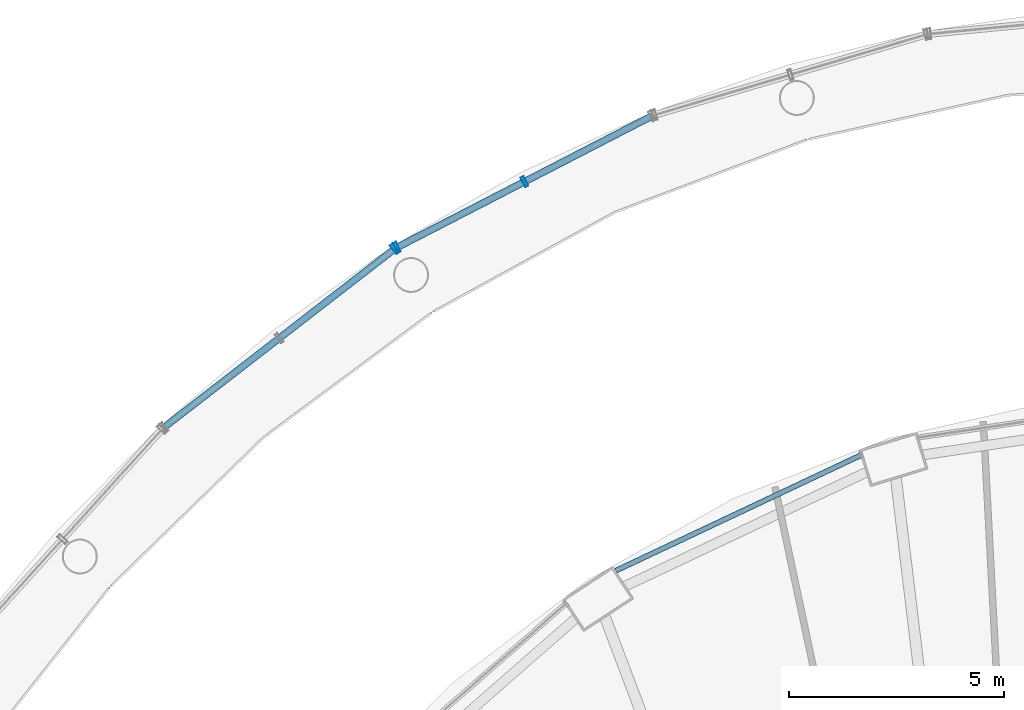
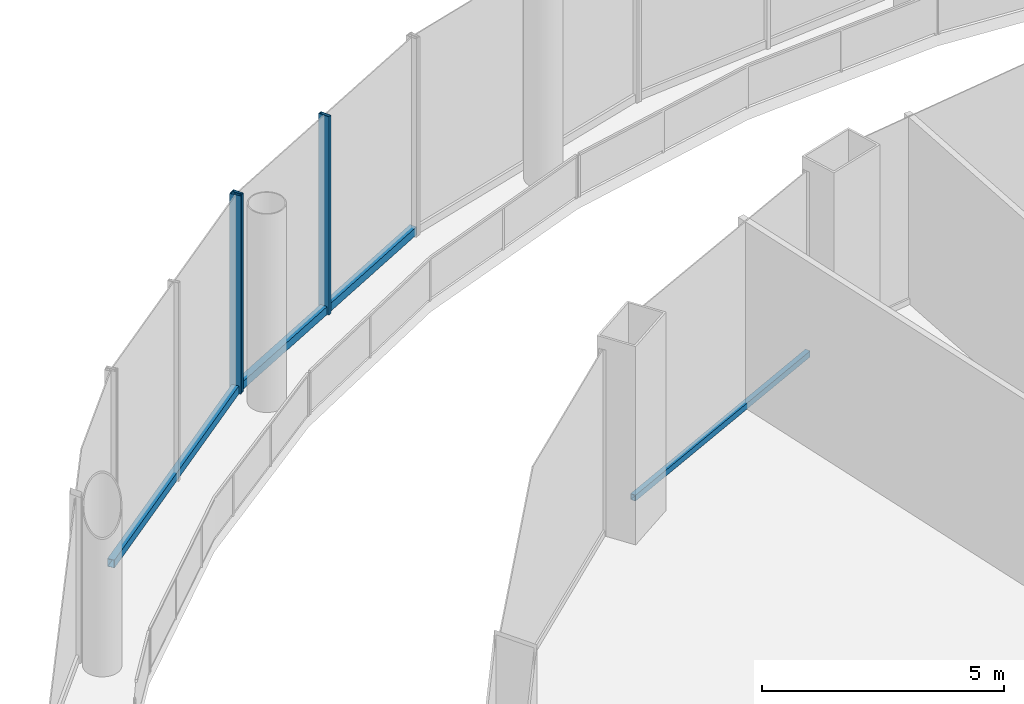
# One storey, part 31 of 47: 6 members, 3 elements without a shape of their own.
"""IFC4 building model written with IfcOpenShell, lengths in metres."""

from ifc_helpers import new_model, si_unit, direction, frame, origin, origin_2d, place, context, subcontext, project, spatial, hollow_rectangle, extrude, material, layer, layer_set, material_profile, profile_set, type_object, element, aggregate, save


model = new_model("IFC4")

# Units and contexts
model_context = context("Model", 3, precision=1e-05, world=origin(), true_north=direction((0.0, 1.0)))
body_context = subcontext(model_context, "Body", "Model", "MODEL_VIEW")
ifc_project = project(units=[si_unit("LENGTHUNIT", "METRE"), si_unit("AREAUNIT", "SQUARE_METRE"), si_unit("VOLUMEUNIT", "CUBIC_METRE"), si_unit("PLANEANGLEUNIT", "RADIAN"), si_unit("MASSUNIT", "GRAM", prefix="KILO")], contexts=[model_context])

# Site, building, storey
site_placement = place(None, origin())
site = spatial("IfcSite", under=ifc_project, at=site_placement, CompositionType="ELEMENT")
building_placement = place(site_placement, origin())
building = spatial("IfcBuilding", under=site, at=building_placement, Name="Nagisa Residences", CompositionType="ELEMENT")
storey_placement = place(building_placement, frame((0.0, 0.0, 7.0)))
storey = spatial("IfcBuildingStorey", under=building, at=storey_placement, Name="L01", CompositionType="ELEMENT", Elevation=7.0)

# Curtain wall, members
ifc_material_1 = material(Name="Stainless steel curtain wall system", Category="steel")
ifc_layer_1 = layer(ifc_material_1, 0.159912109375)
ifc_layer_set_1 = layer_set([ifc_layer_1], Name="CW3 CURTAIN WALL")
curtain_wall_type_1 = type_object("IfcCurtainWallType", Name="CW3 CURTAIN WALL", PredefinedType="NOTDEFINED", material=ifc_layer_set_1)
curtain_wall_1_placement = place(storey_placement, origin())
curtain_wall_1 = element("IfcCurtainWall", 1, at=curtain_wall_1_placement, inside=storey, type_object=curtain_wall_type_1, Name="cw:CW3:L01:11", PredefinedType="NOTDEFINED")
ifc_material_2 = material(Name="Stainless steel", Category="steel")
ifc_material_profile_1 = material_profile(ifc_material_2, hollow_rectangle(XDim=0.25, YDim=0.080078125, WallThickness=0.008056640625, at=origin_2d()), Name="CW3 MULLION 250x80")
ifc_profile_set_1 = profile_set([ifc_material_profile_1], Name="Stainless steel")
member_type_1 = type_object("IfcMemberType", Name="CW3 MULLION 250x80", PredefinedType="MULLION", material=ifc_profile_set_1)
member_1_placement = place(storey_placement, frame((-12.36181640625, 37.848876953125, 0.0), z_axis=(0.0, 0.0, 1.0), x_axis=(0.45812598783, -0.888887270285, 0.0)))
member_1 = element("IfcMember", 2, at=member_1_placement, type_object=member_type_1, Name="CW3 mullion", PredefinedType="MULLION", context=body_context, shape_type="SweptSolid", body=[
    extrude(hollow_rectangle(XDim=0.25, YDim=0.080078125, WallThickness=0.008056640625, at=origin_2d()), origin(), (0.0, 0.0, 1.0), 5.0),
])
member_2_placement = place(storey_placement, frame((-15.327880859375, 36.3203125, 0.0), z_axis=(0.0, 0.0, 1.0), x_axis=(0.45812598783, -0.888887270285, 0.0)))
member_2 = element("IfcMember", 3, at=member_2_placement, type_object=member_type_1, Name="CW3 mullion", PredefinedType="MULLION", context=body_context, shape_type="SweptSolid", body=[
    extrude(hollow_rectangle(XDim=0.25, YDim=0.080078125, WallThickness=0.008056640625, at=origin_2d()), origin(), (0.0, 0.0, 1.0), 5.0),
])

# Curtain wall, member
curtain_wall_2_placement = place(storey_placement, origin())
curtain_wall_2 = element("IfcCurtainWall", 4, at=curtain_wall_2_placement, inside=storey, type_object=curtain_wall_type_1, Name="cw:CW3:L01:12", PredefinedType="NOTDEFINED")
member_3_placement = place(storey_placement, frame((-15.382568359375, 36.285400390625, 0.0), z_axis=(0.0, 0.0, 1.0), x_axis=(0.612034757172, -0.790830864353, 0.0)))
member_3 = element("IfcMember", 5, at=member_3_placement, type_object=member_type_1, Name="CW3 mullion", PredefinedType="MULLION", context=body_context, shape_type="SweptSolid", body=[
    extrude(hollow_rectangle(XDim=0.25, YDim=0.080078125, WallThickness=0.008056640625, at=origin_2d()), origin(), (0.0, 0.0, 1.0), 5.0),
])

# Member
ifc_material_3 = material(Name="Stainless steel", Category="steel")
ifc_material_profile_2 = material_profile(ifc_material_3, hollow_rectangle(XDim=0.159912109375, YDim=0.199951171875, WallThickness=0.008056640625, at=origin_2d()), Name="CW3 TRANSOM 160x200")
ifc_profile_set_2 = profile_set([ifc_material_profile_2], Name="Stainless steel")
member_type_2 = type_object("IfcMemberType", Name="CW3 TRANSOM 160x200", PredefinedType="USERDEFINED", material=ifc_profile_set_2)
member_4_placement = place(storey_placement, frame((-9.360107421875, 39.39599609375, 0.10009765625), z_axis=(-0.888887130152, -0.458126259726, 0.0), x_axis=(0.458126259726, -0.888887130152, 0.0)))
member_4 = element("IfcMember", 6, at=member_4_placement, type_object=member_type_2, Name="CW3 transom", ObjectType="TRANSOM", PredefinedType="USERDEFINED", context=body_context, shape_type="SweptSolid", body=[
    extrude(hollow_rectangle(XDim=0.159912109375, YDim=0.199951171875, WallThickness=0.008056640625, at=origin_2d()), origin(), (0.0, 0.0, 1.0), 6.753662109375),
])

aggregate(curtain_wall_1, [member_1, member_2, member_4])

member_5_placement = place(storey_placement, frame((-15.35107421875, 36.309814453125, 0.10009765625), z_axis=(-0.790821490188, -0.612046869656, 0.0), x_axis=(0.612046869656, -0.790821490188, 0.0)))
member_5 = element("IfcMember", 7, at=member_5_placement, type_object=member_type_2, Name="CW3 transom", ObjectType="TRANSOM", PredefinedType="USERDEFINED", context=body_context, shape_type="SweptSolid", body=[
    extrude(hollow_rectangle(XDim=0.159912109375, YDim=0.199951171875, WallThickness=0.008056640625, at=origin_2d()), origin(), (0.0, 0.0, 1.0), 6.86083984375),
])

aggregate(curtain_wall_2, [member_3, member_5])

# Curtain wall, member
ifc_material_4 = material(Name="Stainless steel curtain wall system", Category="steel")
ifc_layer_2 = layer(ifc_material_4, 0.159912109375)
ifc_layer_set_2 = layer_set([ifc_layer_2], Name="CW6 CURTAIN WALL")
curtain_wall_type_2 = type_object("IfcCurtainWallType", Name="CW6 CURTAIN WALL", PredefinedType="NOTDEFINED", material=ifc_layer_set_2)
curtain_wall_3_placement = place(storey_placement, origin())
curtain_wall_3 = element("IfcCurtainWall", 8, at=curtain_wall_3_placement, inside=storey, type_object=curtain_wall_type_2, Name="cw:CW6:L01:14", PredefinedType="NOTDEFINED")
ifc_material_5 = material(Name="Stainless steel", Category="steel")
ifc_material_profile_3 = material_profile(ifc_material_5, hollow_rectangle(XDim=0.1201171875, YDim=0.14990234375, WallThickness=0.008056640625, at=origin_2d()), Name="CW6 TRANSOM 120x150")
ifc_profile_set_3 = profile_set([ifc_material_profile_3], Name="Stainless steel")
member_type_3 = type_object("IfcMemberType", Name="CW6 TRANSOM 120x150", PredefinedType="USERDEFINED", material=ifc_profile_set_3)
member_6_placement = place(storey_placement, frame((-4.5048828125, 31.504638671875, 0.074951171875), z_axis=(-0.904558144684, -0.426350281911, 0.0), x_axis=(0.426350281911, -0.904558144684, 0.0)))
member_6 = element("IfcMember", 9, at=member_6_placement, type_object=member_type_3, Name="CW6 transom", ObjectType="TRANSOM", PredefinedType="USERDEFINED", context=body_context, shape_type="SweptSolid", body=[
    extrude(hollow_rectangle(XDim=0.1201171875, YDim=0.14990234375, WallThickness=0.008056640625, at=origin_2d()), origin(), (0.0, 0.0, 1.0), 6.33203125),
])
aggregate(curtain_wall_3, [member_6])

save(model, "model.ifc")
